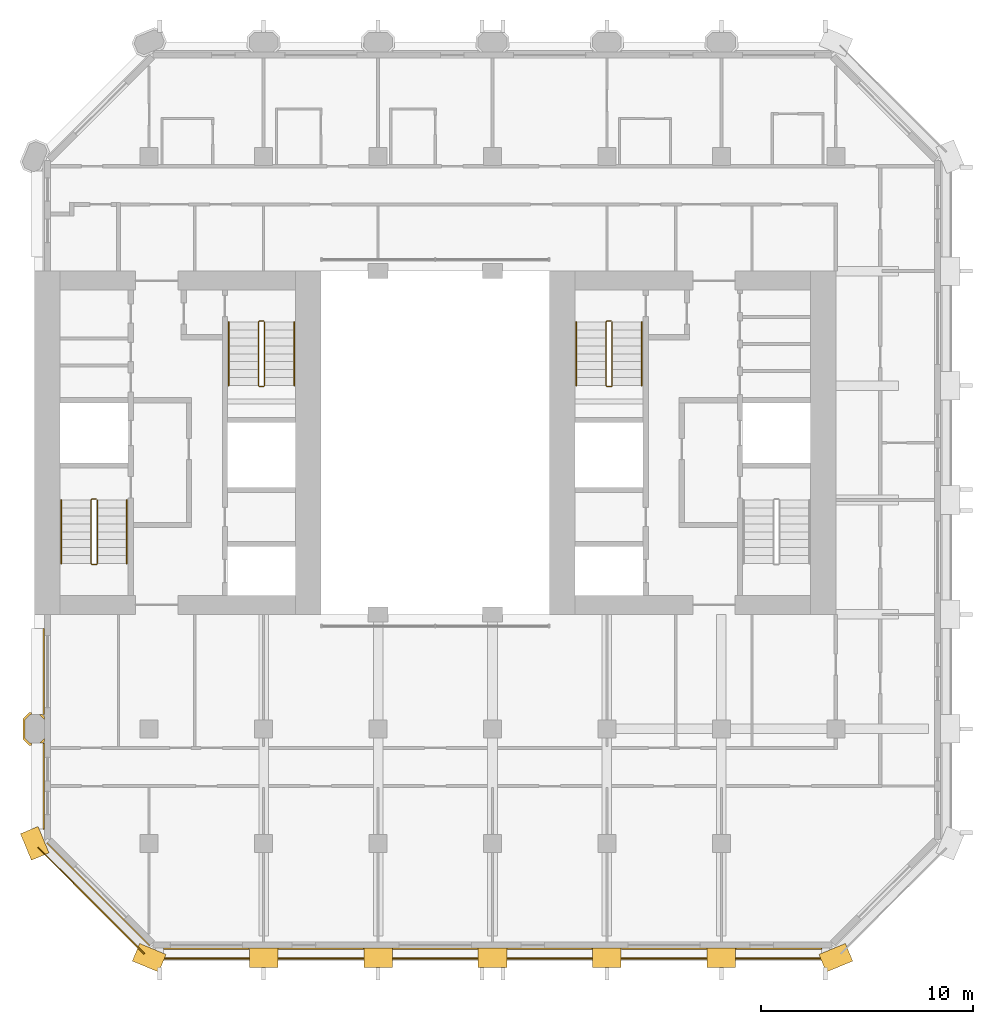
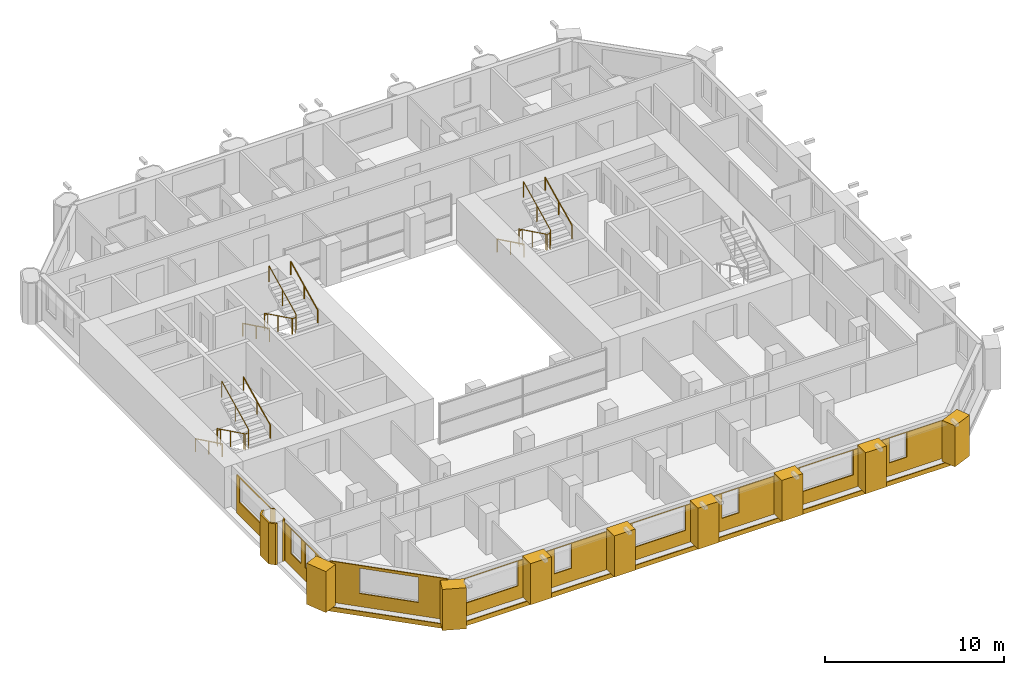
# One storey, part 11 of 12: 22 coverings, 9 railings.
"""IFC4 building model written with IfcOpenShell, lengths in metres."""

from ifc_helpers import new_model, si_unit, direction, frame, frame_2d, origin, origin_2d, place, context, subcontext, project, spatial, polyline, rectangle, circle, outline, extrude, material, layer, layer_set, type_object, element, save


model = new_model("IFC4")

# Units and contexts
model_context = context("Model", 3, precision=1e-05, world=origin(), true_north=direction((0.0, 1.0)))
body_context = subcontext(model_context, "Body", "Model", "MODEL_VIEW")
ifc_project = project(units=[si_unit("LENGTHUNIT", "METRE"), si_unit("AREAUNIT", "SQUARE_METRE"), si_unit("VOLUMEUNIT", "CUBIC_METRE"), si_unit("PLANEANGLEUNIT", "RADIAN"), si_unit("MASSUNIT", "GRAM", prefix="KILO")], contexts=[model_context])

# Site, building, storey
site_placement = place(None, origin())
site = spatial("IfcSite", under=ifc_project, at=site_placement, CompositionType="ELEMENT")
building_placement = place(site_placement, origin())
building = spatial("IfcBuilding", under=site, at=building_placement, Name="Tabaq Tower and Sports Hall", CompositionType="ELEMENT")
storey_placement = place(building_placement, frame((0.0, 0.0, 172.60009765625)))
storey = spatial("IfcBuildingStorey", under=building, at=storey_placement, Name="L41", CompositionType="ELEMENT", Elevation=172.60009765625)

# Coverings
ifc_material_1 = material(Name="Precast concrete C60/75", Category="concrete")
ifc_layer_1 = layer(ifc_material_1, 0.10009765625)
ifc_layer_set_1 = layer_set([ifc_layer_1], Name="Column cladding 100")
covering_type_1 = type_object("IfcCoveringType", Name="Column cladding 100", PredefinedType="CLADDING", material=ifc_layer_set_1)
covering_1_placement = place(storey_placement, origin())
element("IfcCovering", 1, at=covering_1_placement, inside=storey, type_object=covering_type_1, Name="Column cladding L41 PC-2C-H1", PredefinedType="CLADDING", context=body_context, shape_type="SweptSolid", body=[
    extrude(outline(polyline([(5.1337890625, 10.025390625), (4.850341796875, 10.30859375), (4.850341796875, 11.291259765625), (5.1337890625, 11.57470703125), (5.249755859375, 11.57470703125), (5.249755859375, 11.475341796875), (5.1748046875, 11.475341796875), (4.94970703125, 11.250244140625), (4.94970703125, 10.349853515625), (5.1748046875, 10.124755859375), (5.249755859375, 10.124755859375), (5.249755859375, 10.025390625), (5.1337890625, 10.025390625)])), origin(), (0.0, 0.0, 1.0), 2.7998046875),
])
covering_2_placement = place(storey_placement, origin())
element("IfcCovering", 2, at=covering_2_placement, inside=storey, type_object=covering_type_1, Name="Column cladding L41 PC-2C-H1 2", PredefinedType="CLADDING", context=body_context, shape_type="SweptSolid", body=[
    extrude(outline(polyline([(5.766357421875, 10.125244140625), (5.625732421875, 10.125244140625), (5.849609375, 10.349365234375), (5.849609375, 10.208740234375), (5.766357421875, 10.125244140625)])), origin(), (0.0, 0.0, 1.0), 2.7998046875),
])
covering_3_placement = place(storey_placement, origin())
element("IfcCovering", 3, at=covering_3_placement, inside=storey, type_object=covering_type_1, Name="Column cladding L41 PC-2C-H1 3", PredefinedType="CLADDING", context=body_context, shape_type="SweptSolid", body=[
    extrude(outline(polyline([(5.849609375, 11.391357421875), (5.849609375, 11.250732421875), (5.625732421875, 11.474609375), (5.766357421875, 11.474609375), (5.849609375, 11.391357421875)])), origin(), (0.0, 0.0, 1.0), 2.7998046875),
])
ifc_material_2 = material(Name="Precast concrete C60/75", Category="concrete")
ifc_layer_2 = layer(ifc_material_2, 0.06005859375)
ifc_layer_set_2 = layer_set([ifc_layer_2], Name="Edge beam cladding 60")
covering_type_2 = type_object("IfcCoveringType", Name="Edge beam cladding 60", PredefinedType="CLADDING", material=ifc_layer_set_2)
covering_4_placement = place(storey_placement, frame((11.0986328125, -0.030029296875, -0.300048828125), z_axis=(0.0, 0.0, 1.0), x_axis=(1.0, 0.0, 0.0)))
element("IfcCovering", 4, at=covering_4_placement, inside=storey, type_object=covering_type_2, Name="Edge beam cladding L41 1", PredefinedType="CLADDING", context=body_context, shape_type="SweptSolid", body=[
    extrude(rectangle(XDim=31.802734375, YDim=0.06005859375, at=frame_2d((15.9013671875, 0.0))), origin(), (0.0, 0.0, 1.0), 0.300048828125),
])
covering_5_placement = place(storey_placement, frame((5.5556640625, 5.201904296875, -0.300048828125), z_axis=(0.0, 0.0, 1.0), x_axis=(0.707106781187, -0.707106781187, 0.0)))
element("IfcCovering", 5, at=covering_5_placement, inside=storey, type_object=covering_type_2, Name="Edge beam cladding L41 5", PredefinedType="CLADDING", context=body_context, shape_type="SweptSolid", body=[
    extrude(rectangle(XDim=7.087890625, YDim=0.06005859375, at=frame_2d((3.5439453125, 0.0))), origin(), (0.0, 0.0, 1.0), 0.300048828125),
])
ifc_material_3 = material(Name="White precast concrete C60/75", Category="concrete")
covering_type_3 = type_object("IfcCoveringType", Name="Pier cladding hung 1350x900", PredefinedType="CLADDING", material=ifc_material_3)
for number, where, z_axis, x_axis, name in (
    (6, (5.1416015625, 6.023681640625, 0.0), (0.0, 0.0, 1.0), (0.382649923473, -0.923893411637, 0.0), "Hung pier cladding 1/1"),
    (7, (10.17626953125, 0.25830078125, 0.0), (0.0, 0.0, 1.0), (0.923893411637, -0.382649923473, 0.0), "Hung pier cladding 2/0"),
    (8, (15.52490234375, 0.0, 0.0), (0.0, 0.0, 1.0), (1.0, 0.0, 0.0), "Hung pier cladding 3/0"),
):
    element("IfcCovering", number, at=place(storey_placement, frame(where, z_axis=z_axis, x_axis=x_axis)), inside=storey, type_object=covering_type_3, Name=name, PredefinedType="CLADDING", context=body_context, shape_type="SweptSolid", body=[
        extrude(rectangle(XDim=1.35009765625, YDim=0.89990234375, at=frame_2d((0.675048828125, 0.0))), origin(), (0.0, 0.0, 1.0), 2.7998046875),
    ])
covering_6_placement = place(storey_placement, frame((20.925048828125, 0.0, 0.0), z_axis=(0.0, 0.0, 1.0), x_axis=(1.0, 0.0, 0.0)))
element("IfcCovering", 9, at=covering_6_placement, inside=storey, type_object=covering_type_3, Name="Hung pier cladding 4/0", PredefinedType="CLADDING", context=body_context, shape_type="SweptSolid", body=[
    extrude(rectangle(XDim=1.349853515625, YDim=0.89990234375, at=frame_2d((0.6748046875, 0.0))), origin(), (0.0, 0.0, 1.0), 2.7998046875),
])
covering_7_placement = place(storey_placement, frame((26.324951171875, 0.0, 0.0), z_axis=(0.0, 0.0, 1.0), x_axis=(1.0, 0.0, 0.0)))
element("IfcCovering", 10, at=covering_7_placement, inside=storey, type_object=covering_type_3, Name="Hung pier cladding 5/0", PredefinedType="CLADDING", context=body_context, shape_type="SweptSolid", body=[
    extrude(rectangle(XDim=1.35009765625, YDim=0.89990234375, at=frame_2d((0.675048828125, 0.0))), origin(), (0.0, 0.0, 1.0), 2.7998046875),
])
covering_8_placement = place(storey_placement, frame((31.72509765625, 0.0, 0.0), z_axis=(0.0, 0.0, 1.0), x_axis=(1.0, 0.0, 0.0)))
element("IfcCovering", 11, at=covering_8_placement, inside=storey, type_object=covering_type_3, Name="Hung pier cladding 6/0", PredefinedType="CLADDING", context=body_context, shape_type="SweptSolid", body=[
    extrude(rectangle(XDim=1.349853515625, YDim=0.89990234375, at=frame_2d((0.6748046875, 0.0))), origin(), (0.0, 0.0, 1.0), 2.7998046875),
])
for number, where, z_axis, x_axis, name in (
    (12, (37.125, 0.0, 0.0), (0.0, 0.0, 1.0), (1.0, 0.0, 0.0), "Hung pier cladding 7/0"),
    (13, (42.576416015625, -0.25830078125, 0.0), (0.0, 0.0, 1.0), (0.923893411637, 0.382649923473, 0.0), "Hung pier cladding 8/0"),
):
    element("IfcCovering", number, at=place(storey_placement, frame(where, z_axis=z_axis, x_axis=x_axis)), inside=storey, type_object=covering_type_3, Name=name, PredefinedType="CLADDING", context=body_context, shape_type="SweptSolid", body=[
        extrude(rectangle(XDim=1.35009765625, YDim=0.89990234375, at=frame_2d((0.675048828125, 0.0))), origin(), (0.0, 0.0, 1.0), 2.7998046875),
    ])

# Railings
ifc_material_4 = material(Name="Stainless steel", Category="steel")
railing_type_1 = type_object("IfcRailingType", Name="Stair guard", PredefinedType="GUARDRAIL", material=ifc_material_4)
railing_1_placement = place(storey_placement, frame((8.300048828125, 21.64990234375, 0.0)))
element("IfcRailing", 14, at=railing_1_placement, inside=storey, type_object=railing_type_1, Name="L41 ST1 stair guard 1", PredefinedType="GUARDRAIL", context=body_context, shape_type="SweptSolid", body=[
    extrude(circle(Radius=0.02392578125, at=origin_2d()), frame((0.0, 0.0, 1.076171875), z_axis=(-1.0, 0.0, 0.0), x_axis=(0.0, -1.0, 0.0)), (0.0, 0.0, 1.0), 0.199951171875),
    extrude(circle(Radius=0.02392578125, at=origin_2d()), frame((-0.199951171875, 0.0, 1.076171875), z_axis=(-0.254733673405, -0.25349107012, 0.933195066962), x_axis=(0.705375805398, -0.708833529934, 0.0)), (0.0, 0.0, 1.0), 0.196533203125),
    extrude(circle(Radius=0.02392578125, at=origin_2d()), frame((-0.25, -0.0498046875, 1.25927734375), z_axis=(0.0, -0.898397823093, 0.439182594671), x_axis=(1.0, 0.0, 0.0)), (0.0, 0.0, 1.0), 3.33935546875),
    extrude(circle(Radius=0.02392578125, at=origin_2d()), frame((-0.25, -3.0498046875, 2.72607421875), z_axis=(0.707106781187, -0.707106781187, 0.0), x_axis=(0.707106781187, 0.707106781187, 0.0)), (0.0, 0.0, 1.0), 0.07080078125),
    extrude(circle(Radius=0.02392578125, at=origin_2d()), frame((-0.199951171875, -3.099853515625, 2.72607421875), z_axis=(1.0, 0.0, 0.0), x_axis=(0.0, 1.0, 0.0)), (0.0, 0.0, 1.0), 0.199951171875),
    extrude(circle(Radius=0.02392578125, at=origin_2d()), frame((0.0, -3.099853515625, 2.72607421875), z_axis=(0.254653276557, 0.254653276557, 0.932900539971), x_axis=(-0.707106781187, 0.707106781187, 0.0)), (0.0, 0.0, 1.0), 0.196533203125),
    extrude(circle(Radius=0.02392578125, at=origin_2d()), frame((0.050048828125, -3.0498046875, 2.9091796875), z_axis=(0.0, 0.898397823093, 0.439182594671), x_axis=(-1.0, 0.0, 0.0)), (0.0, 0.0, 1.0), 3.33935546875),
    extrude(circle(Radius=0.02099609375, at=origin_2d()), origin(), (0.0, 0.0, 1.0), 1.052001953125),
    extrude(circle(Radius=0.02099609375, at=origin_2d()), frame((-0.199951171875, 0.0, 0.0)), (0.0, 0.0, 1.0), 1.052001953125),
    extrude(circle(Radius=0.02099609375, at=origin_2d()), frame((-0.25, -0.0498046875, 0.183349609375)), (0.0, 0.0, 1.0), 1.052001953125),
    extrude(circle(Radius=0.02099609375, at=origin_2d()), frame((-0.25, -1.5498046875, 0.91650390625)), (0.0, 0.0, 1.0), 1.052001953125),
    extrude(circle(Radius=0.02099609375, at=origin_2d()), frame((-0.25, -3.0498046875, 1.64990234375)), (0.0, 0.0, 1.0), 1.052001953125),
    extrude(circle(Radius=0.02099609375, at=origin_2d()), frame((-0.199951171875, -3.099853515625, 1.64990234375)), (0.0, 0.0, 1.0), 1.052001953125),
    extrude(circle(Radius=0.02099609375, at=origin_2d()), frame((0.0, -3.099853515625, 1.64990234375)), (0.0, 0.0, 1.0), 1.052001953125),
    extrude(circle(Radius=0.02099609375, at=origin_2d()), frame((0.050048828125, -3.0498046875, 1.833251953125)), (0.0, 0.0, 1.0), 1.052001953125),
    extrude(circle(Radius=0.02099609375, at=origin_2d()), frame((0.050048828125, -1.5498046875, 2.56640625)), (0.0, 0.0, 1.0), 1.052001953125),
    extrude(circle(Radius=0.02099609375, at=origin_2d()), frame((0.050048828125, -0.0498046875, 3.2998046875)), (0.0, 0.0, 1.0), 1.052001953125),
])
railing_2_placement = place(storey_placement, frame((16.199951171875, 30.050048828125, 0.0)))
element("IfcRailing", 15, at=railing_2_placement, inside=storey, type_object=railing_type_1, Name="L41 ST2 stair guard 1", PredefinedType="GUARDRAIL", context=body_context, shape_type="SweptSolid", body=[
    extrude(circle(Radius=0.02392578125, at=origin_2d()), frame((0.0, 0.0, 1.076171875), z_axis=(-1.0, 0.0, 0.0), x_axis=(0.0, -1.0, 0.0)), (0.0, 0.0, 1.0), 0.199951171875),
    extrude(circle(Radius=0.02392578125, at=origin_2d()), frame((-0.199951171875, 0.0, 1.076171875), z_axis=(-0.254653276557, -0.254653276557, 0.932900539971), x_axis=(0.707106781187, -0.707106781187, 0.0)), (0.0, 0.0, 1.0), 0.196533203125),
    extrude(circle(Radius=0.02392578125, at=origin_2d()), frame((-0.25, -0.050048828125, 1.25927734375), z_axis=(0.0, -0.898397823093, 0.439182594671), x_axis=(1.0, 0.0, 0.0)), (0.0, 0.0, 1.0), 3.33935546875),
    extrude(circle(Radius=0.02392578125, at=origin_2d()), frame((-0.25, -3.050048828125, 2.72607421875), z_axis=(0.707106781187, -0.707106781187, 0.0), x_axis=(0.707106781187, 0.707106781187, 0.0)), (0.0, 0.0, 1.0), 0.07080078125),
    extrude(circle(Radius=0.02392578125, at=origin_2d()), frame((-0.199951171875, -3.10009765625, 2.72607421875), z_axis=(1.0, 0.0, 0.0), x_axis=(0.0, 1.0, 0.0)), (0.0, 0.0, 1.0), 0.199951171875),
    extrude(circle(Radius=0.02392578125, at=origin_2d()), frame((0.0, -3.10009765625, 2.72607421875), z_axis=(0.254653276557, 0.254653276557, 0.932900539971), x_axis=(-0.707106781187, 0.707106781187, 0.0)), (0.0, 0.0, 1.0), 0.196533203125),
    extrude(circle(Radius=0.02392578125, at=origin_2d()), frame((0.050048828125, -3.050048828125, 2.9091796875), z_axis=(0.0, 0.898397823093, 0.439182594671), x_axis=(-1.0, 0.0, 0.0)), (0.0, 0.0, 1.0), 3.33935546875),
    extrude(circle(Radius=0.02099609375, at=origin_2d()), origin(), (0.0, 0.0, 1.0), 1.052001953125),
    extrude(circle(Radius=0.02099609375, at=origin_2d()), frame((-0.199951171875, 0.0, 0.0)), (0.0, 0.0, 1.0), 1.052001953125),
    extrude(circle(Radius=0.02099609375, at=origin_2d()), frame((-0.25, -0.050048828125, 0.183349609375)), (0.0, 0.0, 1.0), 1.052001953125),
    extrude(circle(Radius=0.02099609375, at=origin_2d()), frame((-0.25, -1.550048828125, 0.91650390625)), (0.0, 0.0, 1.0), 1.052001953125),
    extrude(circle(Radius=0.02099609375, at=origin_2d()), frame((-0.25, -3.050048828125, 1.64990234375)), (0.0, 0.0, 1.0), 1.052001953125),
    extrude(circle(Radius=0.02099609375, at=origin_2d()), frame((-0.199951171875, -3.10009765625, 1.64990234375)), (0.0, 0.0, 1.0), 1.052001953125),
    extrude(circle(Radius=0.02099609375, at=origin_2d()), frame((0.0, -3.10009765625, 1.64990234375)), (0.0, 0.0, 1.0), 1.052001953125),
    extrude(circle(Radius=0.02099609375, at=origin_2d()), frame((0.050048828125, -3.050048828125, 1.833251953125)), (0.0, 0.0, 1.0), 1.052001953125),
    extrude(circle(Radius=0.02099609375, at=origin_2d()), frame((0.050048828125, -1.550048828125, 2.56640625)), (0.0, 0.0, 1.0), 1.052001953125),
    extrude(circle(Radius=0.02099609375, at=origin_2d()), frame((0.050048828125, -0.050048828125, 3.2998046875)), (0.0, 0.0, 1.0), 1.052001953125),
])
railing_3_placement = place(storey_placement, frame((32.60009765625, 30.050048828125, 0.0)))
element("IfcRailing", 16, at=railing_3_placement, inside=storey, type_object=railing_type_1, Name="L41 ST4 stair guard 1", PredefinedType="GUARDRAIL", context=body_context, shape_type="SweptSolid", body=[
    extrude(circle(Radius=0.02392578125, at=origin_2d()), frame((0.0, 0.0, 1.076171875), z_axis=(-1.0, 0.0, 0.0), x_axis=(0.0, -1.0, 0.0)), (0.0, 0.0, 1.0), 0.2001953125),
    extrude(circle(Radius=0.02392578125, at=origin_2d()), frame((-0.2001953125, 0.0, 1.076171875), z_axis=(-0.25349107012, -0.254733673405, 0.933195066962), x_axis=(0.708833529934, -0.705375805398, 0.0)), (0.0, 0.0, 1.0), 0.196533203125),
    extrude(circle(Radius=0.02392578125, at=origin_2d()), frame((-0.25, -0.050048828125, 1.25927734375), z_axis=(0.0, -0.898397823093, 0.439182594671), x_axis=(1.0, 0.0, 0.0)), (0.0, 0.0, 1.0), 3.33935546875),
    extrude(circle(Radius=0.02392578125, at=origin_2d()), frame((-0.25, -3.050048828125, 2.72607421875), z_axis=(0.705375805398, -0.708833529934, 0.0), x_axis=(0.708833529934, 0.705375805398, 0.0)), (0.0, 0.0, 1.0), 0.070556640625),
    extrude(circle(Radius=0.02392578125, at=origin_2d()), frame((-0.2001953125, -3.10009765625, 2.72607421875), z_axis=(1.0, 0.0, 0.0), x_axis=(0.0, 1.0, 0.0)), (0.0, 0.0, 1.0), 0.2001953125),
    extrude(circle(Radius=0.02392578125, at=origin_2d()), frame((0.0, -3.10009765625, 2.72607421875), z_axis=(0.25349107012, 0.254733673405, 0.933195066962), x_axis=(-0.708833529934, 0.705375805398, 0.0)), (0.0, 0.0, 1.0), 0.196533203125),
    extrude(circle(Radius=0.02392578125, at=origin_2d()), frame((0.0498046875, -3.050048828125, 2.9091796875), z_axis=(0.0, 0.898397823093, 0.439182594671), x_axis=(-1.0, 0.0, 0.0)), (0.0, 0.0, 1.0), 3.33935546875),
    extrude(circle(Radius=0.02099609375, at=origin_2d()), origin(), (0.0, 0.0, 1.0), 1.052001953125),
    extrude(circle(Radius=0.02099609375, at=origin_2d()), frame((-0.2001953125, 0.0, 0.0)), (0.0, 0.0, 1.0), 1.052001953125),
    extrude(circle(Radius=0.02099609375, at=origin_2d()), frame((-0.25, -0.050048828125, 0.183349609375)), (0.0, 0.0, 1.0), 1.052001953125),
    extrude(circle(Radius=0.02099609375, at=origin_2d()), frame((-0.25, -1.550048828125, 0.91650390625)), (0.0, 0.0, 1.0), 1.052001953125),
    extrude(circle(Radius=0.02099609375, at=origin_2d()), frame((-0.25, -3.050048828125, 1.64990234375)), (0.0, 0.0, 1.0), 1.052001953125),
    extrude(circle(Radius=0.02099609375, at=origin_2d()), frame((-0.2001953125, -3.10009765625, 1.64990234375)), (0.0, 0.0, 1.0), 1.052001953125),
    extrude(circle(Radius=0.02099609375, at=origin_2d()), frame((0.0, -3.10009765625, 1.64990234375)), (0.0, 0.0, 1.0), 1.052001953125),
    extrude(circle(Radius=0.02099609375, at=origin_2d()), frame((0.0498046875, -3.050048828125, 1.833251953125)), (0.0, 0.0, 1.0), 1.052001953125),
    extrude(circle(Radius=0.02099609375, at=origin_2d()), frame((0.0498046875, -1.550048828125, 2.56640625)), (0.0, 0.0, 1.0), 1.052001953125),
    extrude(circle(Radius=0.02099609375, at=origin_2d()), frame((0.0498046875, -0.050048828125, 3.2998046875)), (0.0, 0.0, 1.0), 1.052001953125),
])
ifc_material_5 = material(Name="Stainless steel", Category="steel")
railing_type_2 = type_object("IfcRailingType", Name="Stair handrail", PredefinedType="HANDRAIL", material=ifc_material_5)
railing_4_placement = place(storey_placement, frame((6.64990234375, 21.60009765625, 0.183349609375)))
element("IfcRailing", 17, at=railing_4_placement, inside=storey, type_object=railing_type_2, Name="L41 ST1 stair handrail 1", PredefinedType="HANDRAIL", context=body_context, shape_type="SweptSolid", body=[
    extrude(circle(Radius=0.02392578125, at=origin_2d()), frame((0.0, 0.0, 0.8759765625), z_axis=(0.0, -0.898397823093, 0.439182594671), x_axis=(1.0, 0.0, 0.0)), (0.0, 0.0, 1.0), 3.33935546875),
    extrude(circle(Radius=0.02099609375, at=origin_2d()), origin(), (0.0, 0.0, 1.0), 0.851806640625),
    extrude(circle(Radius=0.02099609375, at=origin_2d()), frame((0.0, -1.5, 0.7333984375)), (0.0, 0.0, 1.0), 0.851806640625),
    extrude(circle(Radius=0.02099609375, at=origin_2d()), frame((0.0, -3.0, 1.466552734375)), (0.0, 0.0, 1.0), 0.851806640625),
])
railing_5_placement = place(storey_placement, frame((9.75, 18.60009765625, 1.833251953125)))
element("IfcRailing", 18, at=railing_5_placement, inside=storey, type_object=railing_type_2, Name="L41 ST1 stair handrail 2", PredefinedType="HANDRAIL", context=body_context, shape_type="SweptSolid", body=[
    extrude(circle(Radius=0.02392578125, at=origin_2d()), frame((0.0, 0.0, 0.8759765625), z_axis=(0.0, 0.898397823093, 0.439182594671), x_axis=(-1.0, 0.0, 0.0)), (0.0, 0.0, 1.0), 3.33935546875),
    extrude(circle(Radius=0.02099609375, at=origin_2d()), origin(), (0.0, 0.0, 1.0), 0.851806640625),
    extrude(circle(Radius=0.02099609375, at=origin_2d()), frame((0.0, 1.5, 0.7333984375)), (0.0, 0.0, 1.0), 0.851806640625),
    extrude(circle(Radius=0.02099609375, at=origin_2d()), frame((0.0, 3.0, 1.466552734375)), (0.0, 0.0, 1.0), 0.851806640625),
])
railing_6_placement = place(storey_placement, frame((14.550048828125, 30.0, 0.183349609375)))
element("IfcRailing", 19, at=railing_6_placement, inside=storey, type_object=railing_type_2, Name="L41 ST2 stair handrail 1", PredefinedType="HANDRAIL", context=body_context, shape_type="SweptSolid", body=[
    extrude(circle(Radius=0.02392578125, at=origin_2d()), frame((0.0, 0.0, 0.8759765625), z_axis=(0.0, -0.898397823093, 0.439182594671), x_axis=(1.0, 0.0, 0.0)), (0.0, 0.0, 1.0), 3.33935546875),
    extrude(circle(Radius=0.02099609375, at=origin_2d()), origin(), (0.0, 0.0, 1.0), 0.851806640625),
    extrude(circle(Radius=0.02099609375, at=origin_2d()), frame((0.0, -1.5, 0.7333984375)), (0.0, 0.0, 1.0), 0.851806640625),
    extrude(circle(Radius=0.02099609375, at=origin_2d()), frame((0.0, -3.0, 1.466552734375)), (0.0, 0.0, 1.0), 0.851806640625),
])
railing_7_placement = place(storey_placement, frame((17.64990234375, 27.0, 1.833251953125)))
element("IfcRailing", 20, at=railing_7_placement, inside=storey, type_object=railing_type_2, Name="L41 ST2 stair handrail 2", PredefinedType="HANDRAIL", context=body_context, shape_type="SweptSolid", body=[
    extrude(circle(Radius=0.02392578125, at=origin_2d()), frame((0.0, 0.0, 0.8759765625), z_axis=(0.0, 0.898397823093, 0.439182594671), x_axis=(-1.0, 0.0, 0.0)), (0.0, 0.0, 1.0), 3.33935546875),
    extrude(circle(Radius=0.02099609375, at=origin_2d()), origin(), (0.0, 0.0, 1.0), 0.851806640625),
    extrude(circle(Radius=0.02099609375, at=origin_2d()), frame((0.0, 1.5, 0.7333984375)), (0.0, 0.0, 1.0), 0.851806640625),
    extrude(circle(Radius=0.02099609375, at=origin_2d()), frame((0.0, 3.0, 1.466552734375)), (0.0, 0.0, 1.0), 0.851806640625),
])
railing_8_placement = place(storey_placement, frame((30.949951171875, 30.0, 0.183349609375)))
element("IfcRailing", 21, at=railing_8_placement, inside=storey, type_object=railing_type_2, Name="L41 ST4 stair handrail 1", PredefinedType="HANDRAIL", context=body_context, shape_type="SweptSolid", body=[
    extrude(circle(Radius=0.02392578125, at=origin_2d()), frame((0.0, 0.0, 0.8759765625), z_axis=(0.0, -0.898397823093, 0.439182594671), x_axis=(1.0, 0.0, 0.0)), (0.0, 0.0, 1.0), 3.33935546875),
    extrude(circle(Radius=0.02099609375, at=origin_2d()), origin(), (0.0, 0.0, 1.0), 0.851806640625),
    extrude(circle(Radius=0.02099609375, at=origin_2d()), frame((0.0, -1.5, 0.7333984375)), (0.0, 0.0, 1.0), 0.851806640625),
    extrude(circle(Radius=0.02099609375, at=origin_2d()), frame((0.0, -3.0, 1.466552734375)), (0.0, 0.0, 1.0), 0.851806640625),
])
railing_9_placement = place(storey_placement, frame((34.050048828125, 27.0, 1.833251953125)))
element("IfcRailing", 22, at=railing_9_placement, inside=storey, type_object=railing_type_2, Name="L41 ST4 stair handrail 2", PredefinedType="HANDRAIL", context=body_context, shape_type="SweptSolid", body=[
    extrude(circle(Radius=0.02392578125, at=origin_2d()), frame((0.0, 0.0, 0.8759765625), z_axis=(0.0, 0.898397823093, 0.439182594671), x_axis=(-1.0, 0.0, 0.0)), (0.0, 0.0, 1.0), 3.33935546875),
    extrude(circle(Radius=0.02099609375, at=origin_2d()), origin(), (0.0, 0.0, 1.0), 0.851806640625),
    extrude(circle(Radius=0.02099609375, at=origin_2d()), frame((0.0, 1.5, 0.7333984375)), (0.0, 0.0, 1.0), 0.851806640625),
    extrude(circle(Radius=0.02099609375, at=origin_2d()), frame((0.0, 3.0, 1.466552734375)), (0.0, 0.0, 1.0), 0.851806640625),
])

# Coverings
ifc_material_6 = material(Name="Precast concrete C60/75", Category="concrete")
ifc_layer_3 = layer(ifc_material_6, 0.06005859375)
ifc_layer_set_3 = layer_set([ifc_layer_3], Name="White precast cladding panel 60 C60/75")
covering_type_4 = type_object("IfcCoveringType", Name="White precast cladding panel 60 C60/75", PredefinedType="CLADDING", material=ifc_layer_set_3)
covering_9_placement = place(storey_placement, frame((11.465087890625, 0.419921875, 0.0), z_axis=(0.0, 0.0, 1.0), x_axis=(1.0, 0.0, 0.0)))
element("IfcCovering", 23, at=covering_9_placement, inside=storey, type_object=covering_type_4, Name="White precast cladding panel L41 wall00", PredefinedType="CLADDING", context=body_context, shape_type="SweptSolid", body=[
    extrude(outline(polyline([(0.0, 0.0), (4.0498046875, 0.0), (4.0498046875, 2.58984375), (0.0, 2.58984375), (0.0, 0.0)]), holes=[polyline([(3.7451171875, 0.889892578125), (0.324951171875, 0.889892578125), (0.324951171875, 2.559814453125), (3.7451171875, 2.559814453125), (3.7451171875, 0.889892578125)])]), frame((0.0, 0.030029296875, 0.0), z_axis=(0.0, -1.0, 0.0), x_axis=(1.0, 0.0, 0.0)), (0.0, 0.0, 1.0), 0.06005859375),
])
covering_10_placement = place(storey_placement, frame((16.885009765625, 0.419921875, 0.0), z_axis=(0.0, 0.0, 1.0), x_axis=(1.0, 0.0, 0.0)))
element("IfcCovering", 24, at=covering_10_placement, inside=storey, type_object=covering_type_4, Name="White precast cladding panel L41 wall00 2", PredefinedType="CLADDING", context=body_context, shape_type="SweptSolid", body=[
    extrude(outline(polyline([(0.0, 0.0), (4.030029296875, 0.0), (4.030029296875, 2.58984375), (0.0, 2.58984375), (0.0, 0.0)]), holes=[polyline([(1.77490234375, 0.889892578125), (0.655029296875, 0.889892578125), (0.655029296875, 2.559814453125), (1.77490234375, 2.559814453125), (1.77490234375, 0.889892578125)])]), frame((0.0, 0.030029296875, 0.0), z_axis=(0.0, -1.0, 0.0), x_axis=(1.0, 0.0, 0.0)), (0.0, 0.0, 1.0), 0.06005859375),
])
covering_11_placement = place(storey_placement, frame((22.284912109375, 0.419921875, 0.0), z_axis=(0.0, 0.0, 1.0), x_axis=(1.0, 0.0, 0.0)))
element("IfcCovering", 25, at=covering_11_placement, inside=storey, type_object=covering_type_4, Name="White precast cladding panel L41 wall00 3", PredefinedType="CLADDING", context=body_context, shape_type="SweptSolid", body=[
    extrude(outline(polyline([(0.0, 0.0), (4.030029296875, 0.0), (4.030029296875, 2.58984375), (0.0, 2.58984375), (0.0, 0.0)]), holes=[polyline([(3.72509765625, 0.889892578125), (0.304931640625, 0.889892578125), (0.304931640625, 2.559814453125), (3.72509765625, 2.559814453125), (3.72509765625, 0.889892578125)])]), frame((0.0, 0.030029296875, 0.0), z_axis=(0.0, -1.0, 0.0), x_axis=(1.0, 0.0, 0.0)), (0.0, 0.0, 1.0), 0.06005859375),
])
covering_12_placement = place(storey_placement, frame((27.68505859375, 0.419921875, 0.0), z_axis=(0.0, 0.0, 1.0), x_axis=(1.0, 0.0, 0.0)))
element("IfcCovering", 26, at=covering_12_placement, inside=storey, type_object=covering_type_4, Name="White precast cladding panel L41 wall00 4", PredefinedType="CLADDING", context=body_context, shape_type="SweptSolid", body=[
    extrude(outline(polyline([(0.0, 0.0), (4.030029296875, 0.0), (4.030029296875, 2.58984375), (0.0, 2.58984375), (0.0, 0.0)]), holes=[polyline([(1.77490234375, 0.889892578125), (0.655029296875, 0.889892578125), (0.655029296875, 2.559814453125), (1.77490234375, 2.559814453125), (1.77490234375, 0.889892578125)])]), frame((0.0, 0.030029296875, 0.0), z_axis=(0.0, -1.0, 0.0), x_axis=(1.0, 0.0, 0.0)), (0.0, 0.0, 1.0), 0.06005859375),
])
covering_13_placement = place(storey_placement, frame((33.0849609375, 0.419921875, 0.0), z_axis=(0.0, 0.0, 1.0), x_axis=(1.0, 0.0, 0.0)))
element("IfcCovering", 27, at=covering_13_placement, inside=storey, type_object=covering_type_4, Name="White precast cladding panel L41 wall00 5", PredefinedType="CLADDING", context=body_context, shape_type="SweptSolid", body=[
    extrude(outline(polyline([(0.0, 0.0), (4.030029296875, 0.0), (4.030029296875, 2.58984375), (0.0, 2.58984375), (0.0, 0.0)]), holes=[polyline([(3.72509765625, 0.889892578125), (0.304931640625, 0.889892578125), (0.304931640625, 2.559814453125), (3.72509765625, 2.559814453125), (3.72509765625, 0.889892578125)])]), frame((0.0, 0.030029296875, 0.0), z_axis=(0.0, -1.0, 0.0), x_axis=(1.0, 0.0, 0.0)), (0.0, 0.0, 1.0), 0.06005859375),
])
covering_14_placement = place(storey_placement, frame((38.485107421875, 0.419921875, 0.0), z_axis=(0.0, 0.0, 1.0), x_axis=(1.0, 0.0, 0.0)))
element("IfcCovering", 28, at=covering_14_placement, inside=storey, type_object=covering_type_4, Name="White precast cladding panel L41 wall00 6", PredefinedType="CLADDING", context=body_context, shape_type="SweptSolid", body=[
    extrude(outline(polyline([(0.0, 0.0), (4.0498046875, 0.0), (4.0498046875, 2.58984375), (0.0, 2.58984375), (0.0, 0.0)]), holes=[polyline([(1.77490234375, 0.889892578125), (0.655029296875, 0.889892578125), (0.655029296875, 2.559814453125), (1.77490234375, 2.559814453125), (1.77490234375, 0.889892578125)])]), frame((0.0, 0.030029296875, 0.0), z_axis=(0.0, -1.0, 0.0), x_axis=(1.0, 0.0, 0.0)), (0.0, 0.0, 1.0), 0.06005859375),
])
covering_15_placement = place(storey_placement, frame((5.820068359375, 15.534912109375, 0.0), z_axis=(0.0, 0.0, 1.0), x_axis=(0.0, -1.0, 0.0)))
element("IfcCovering", 29, at=covering_15_placement, inside=storey, type_object=covering_type_4, Name="White precast cladding panel L41 wall06-1", PredefinedType="CLADDING", context=body_context, shape_type="SweptSolid", body=[
    extrude(outline(polyline([(0.0, 0.0), (4.0498046875, 0.0), (4.0498046875, 2.58984375), (0.0, 2.58984375), (0.0, 0.0)]), holes=[polyline([(3.7451171875, 0.889892578125), (0.324951171875, 0.889892578125), (0.324951171875, 2.559814453125), (3.7451171875, 2.559814453125), (3.7451171875, 0.889892578125)])]), frame((0.0, 0.030029296875, 0.0), z_axis=(0.0, -1.0, 0.0), x_axis=(1.0, 0.0, 0.0)), (0.0, 0.0, 1.0), 0.06005859375),
])
covering_16_placement = place(storey_placement, frame((5.820068359375, 10.114990234375, 0.0), z_axis=(0.0, 0.0, 1.0), x_axis=(0.0, -1.0, 0.0)))
element("IfcCovering", 30, at=covering_16_placement, inside=storey, type_object=covering_type_4, Name="White precast cladding panel L41 wall06-1 2", PredefinedType="CLADDING", context=body_context, shape_type="SweptSolid", body=[
    extrude(outline(polyline([(0.0, 0.0), (4.050048828125, 0.0), (4.050048828125, 2.58984375), (0.0, 2.58984375), (0.0, 0.0)]), holes=[polyline([(0.655029296875, 0.889892578125), (0.655029296875, 2.559814453125), (1.77490234375, 2.559814453125), (1.77490234375, 0.889892578125), (0.655029296875, 0.889892578125)]), polyline([(2.2548828125, 0.889892578125), (2.2548828125, 2.559814453125), (3.375, 2.559814453125), (3.375, 0.889892578125), (2.2548828125, 0.889892578125)])]), frame((0.0, 0.030029296875, 0.0), z_axis=(0.0, -1.0, 0.0), x_axis=(1.0, 0.0, 0.0)), (0.0, 0.0, 1.0), 0.06005859375),
])
covering_17_placement = place(storey_placement, frame((5.9716796875, 5.42236328125, 0.0), z_axis=(0.0, 0.0, 1.0), x_axis=(0.707106781187, -0.707106781187, 0.0)))
element("IfcCovering", 31, at=covering_17_placement, inside=storey, type_object=covering_type_4, Name="White precast cladding panel L41 wall07", PredefinedType="CLADDING", context=body_context, shape_type="SweptSolid", body=[
    extrude(outline(polyline([(0.0, 0.0), (6.85986328125, 0.0), (6.85986328125, 2.7998046875), (0.0, 2.7998046875), (0.0, 0.0)]), holes=[polyline([(1.7197265625, 0.889892578125), (1.7197265625, 2.60986328125), (5.139892578125, 2.60986328125), (5.139892578125, 0.889892578125), (1.7197265625, 0.889892578125)])]), frame((0.0, 0.030029296875, 0.0), z_axis=(0.0, -1.0, 0.0), x_axis=(1.0, 0.0, 0.0)), (0.0, 0.0, 1.0), 0.06005859375),
])

save(model, "model.ifc")
